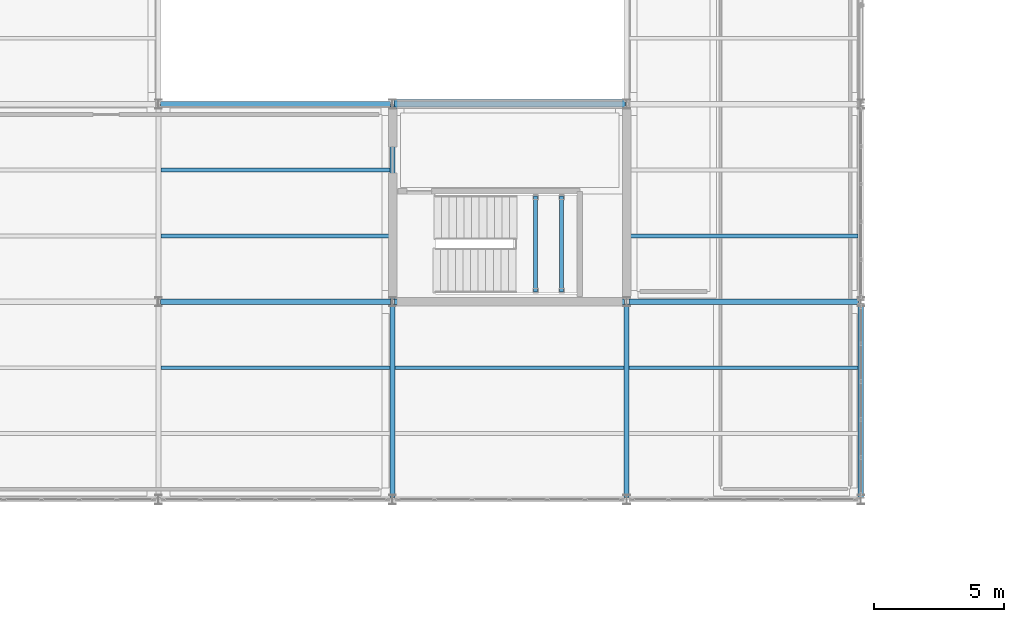
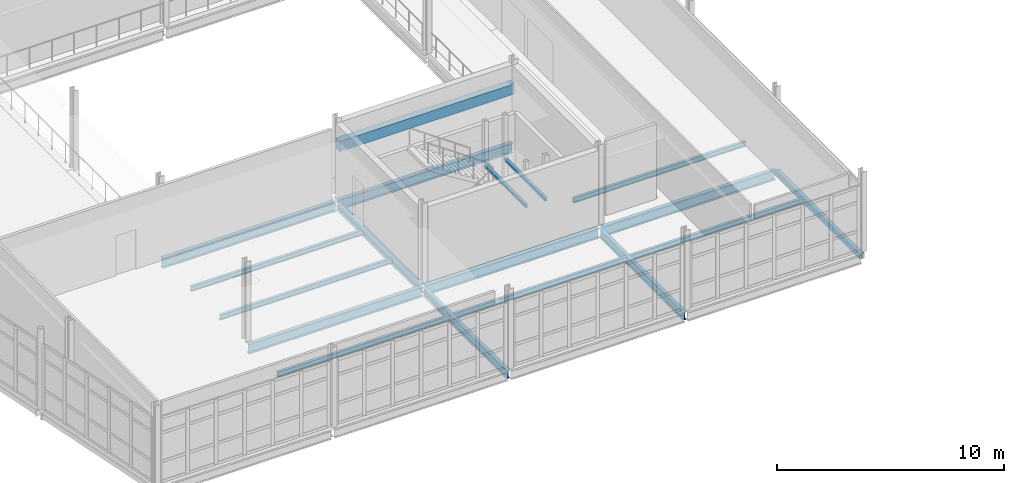
# One storey, part 117 of 174: 18 beams.
"""IFC4 building model written with IfcOpenShell, lengths in metres."""

from ifc_helpers import new_model, si_unit, direction, frame, origin, origin_2d, place, context, subcontext, project, spatial, rectangle, hollow_rectangle, i_section, extrude, material, material_profile, profile_set, type_object, element, save


model = new_model("IFC4")

# Units and contexts
model_context = context("Model", 3, precision=1e-05, world=origin(), true_north=direction((0.0, 1.0)))
body_context = subcontext(model_context, "Body", "Model", "MODEL_VIEW")
ifc_project = project(units=[si_unit("LENGTHUNIT", "METRE"), si_unit("AREAUNIT", "SQUARE_METRE"), si_unit("VOLUMEUNIT", "CUBIC_METRE"), si_unit("PLANEANGLEUNIT", "RADIAN"), si_unit("MASSUNIT", "GRAM", prefix="KILO")], contexts=[model_context])

# Site, building, storey
site_placement = place(None, origin())
site = spatial("IfcSite", under=ifc_project, at=site_placement, CompositionType="ELEMENT")
building_placement = place(site_placement, origin())
building = spatial("IfcBuilding", under=site, at=building_placement, Name="Caisbarro Railhouse Central Library", CompositionType="ELEMENT")
storey_placement = place(building_placement, frame((0.0, 0.0, 5.0400390625)))
storey = spatial("IfcBuildingStorey", under=building, at=storey_placement, Name="L01", CompositionType="ELEMENT", Elevation=5.0400390625)

# Beams
ifc_material_1 = material(Name="Steel ASTM A572 Grade 50", Category="steel")
ifc_material_profile_1 = material_profile(ifc_material_1, i_section(OverallWidth=0.208984375, OverallDepth=0.532958984375, WebThickness=0.01025390625, FlangeThickness=0.015625, FilletRadius=0.02001953125, at=origin_2d()), Name="W530X92.0")
ifc_profile_set_1 = profile_set([ifc_material_profile_1], Name="Steel ASTM A572 Grade 50")
beam_type_1 = type_object("IfcBeamType", Name="BM-G06", PredefinedType="BEAM", material=ifc_profile_set_1)
for number, where, z_axis, x_axis, name in (
    (1, (126.080078125, 68.39990234375, -0.486572265625), (1.0, 0.0, 0.0), (0.0, 1.0, 0.0), "G06 beam L01 #906"),
    (2, (135.080078125, 68.39990234375, -0.486572265625), (1.0, 0.0, 0.0), (0.0, 1.0, 0.0), "G06 beam L01 #907"),
    (3, (144.080078125, 68.39990234375, -0.486572265625), (1.0, 0.0, 0.0), (0.0, 1.0, 0.0), "G06 beam L01 #908"),
    (4, (126.080078125, 76.0, -0.486572265625), (1.0, 0.0, 0.0), (0.0, 1.0, 0.0), "G06 beam L01 #910"),
    (5, (135.080078125, 76.0, -0.486572265625), (1.0, 0.0, 0.0), (0.0, 1.0, 0.0), "G06 beam L01 #911"),
):
    element("IfcBeam", number, at=place(storey_placement, frame(where, z_axis=z_axis, x_axis=x_axis)), inside=storey, type_object=beam_type_1, Name=name, PredefinedType="BEAM", context=body_context, shape_type="SweptSolid", body=[
        extrude(i_section(OverallWidth=0.208984375, OverallDepth=0.532958984375, WebThickness=0.01025390625, FlangeThickness=0.015625, FilletRadius=0.02001953125, at=origin_2d()), origin(), (0.0, 0.0, 1.0), 8.83984375),
    ])
ifc_material_profile_2 = material_profile(ifc_material_1, i_section(OverallWidth=0.18994140625, OverallDepth=0.45703125, WebThickness=0.009033203125, FlangeThickness=0.014404296875, FilletRadius=0.01806640625, at=origin_2d()), Name="W460X74.0")
ifc_profile_set_2 = profile_set([ifc_material_profile_2], Name="Steel ASTM A572 Grade 50")
beam_type_2 = type_object("IfcBeamType", Name="BM-G08", PredefinedType="BEAM", material=ifc_profile_set_2)
beam_1_placement = place(storey_placement, frame((135.0, 60.8798828125, -0.448486328125), z_axis=(0.0, 1.0, 0.0), x_axis=(-1.0, 0.0, 0.0)))
element("IfcBeam", 6, at=beam_1_placement, inside=storey, type_object=beam_type_2, Name="G08 beam L01 #945", PredefinedType="BEAM", context=body_context, shape_type="SweptSolid", body=[
    extrude(i_section(OverallWidth=0.18994140625, OverallDepth=0.45703125, WebThickness=0.009033203125, FlangeThickness=0.014404296875, FilletRadius=0.01806640625, at=origin_2d()), origin(), (0.0, 0.0, 1.0), 7.440185546875),
])
beam_2_placement = place(storey_placement, frame((135.0, 68.47998046875, -0.448486328125), z_axis=(0.0, 1.0, 0.0), x_axis=(-1.0, 0.0, 0.0)))
element("IfcBeam", 7, at=beam_2_placement, inside=storey, type_object=beam_type_2, Name="G08 beam L01 #946", PredefinedType="BEAM", context=body_context, shape_type="SweptSolid", body=[
    extrude(i_section(OverallWidth=0.18994140625, OverallDepth=0.45703125, WebThickness=0.009033203125, FlangeThickness=0.014404296875, FilletRadius=0.01806640625, at=origin_2d()), origin(), (0.0, 0.0, 1.0), 7.43994140625),
])
beam_3_placement = place(storey_placement, frame((144.0, 60.8798828125, -0.448486328125), z_axis=(0.0, 1.0, 0.0), x_axis=(-1.0, 0.0, 0.0)))
element("IfcBeam", 8, at=beam_3_placement, inside=storey, type_object=beam_type_2, Name="G08 beam L01 #950", PredefinedType="BEAM", context=body_context, shape_type="SweptSolid", body=[
    extrude(i_section(OverallWidth=0.18994140625, OverallDepth=0.45703125, WebThickness=0.009033203125, FlangeThickness=0.014404296875, FilletRadius=0.01806640625, at=origin_2d()), origin(), (0.0, 0.0, 1.0), 7.440185546875),
])
ifc_material_profile_3 = material_profile(ifc_material_1, i_section(OverallWidth=0.14794921875, OverallDepth=0.26611328125, WebThickness=0.007568359375, FlangeThickness=0.012939453125, FilletRadius=0.010009765625, at=origin_2d()), Name="W250X44.8")
ifc_profile_set_3 = profile_set([ifc_material_profile_3], Name="Steel ASTM A572 Grade 50")
beam_type_3 = type_object("IfcBeamType", Name="BM-J04", PredefinedType="JOIST", material=ifc_profile_set_3)
for number, where, z_axis, x_axis, name in (
    (9, (126.094970703125, 65.86669921875, -0.35302734375), (1.0, 0.0, 0.0), (0.0, 1.0, 0.0), "J04 beam L01 #979"),
    (10, (126.094970703125, 70.933349609375, -0.35302734375), (1.0, 0.0, 0.0), (0.0, 1.0, 0.0), "J04 beam L01 #980"),
    (11, (126.094970703125, 73.466796875, -0.35302734375), (1.0, 0.0, 0.0), (0.0, 1.0, 0.0), "J04 beam L01 #981"),
    (12, (135.094970703125, 65.86669921875, -0.35302734375), (1.0, 0.0, 0.0), (0.0, 1.0, 0.0), "J04 beam L01 #987"),
):
    element("IfcBeam", number, at=place(storey_placement, frame(where, z_axis=z_axis, x_axis=x_axis)), inside=storey, type_object=beam_type_3, Name=name, PredefinedType="JOIST", context=body_context, shape_type="SweptSolid", body=[
        extrude(i_section(OverallWidth=0.14794921875, OverallDepth=0.26611328125, WebThickness=0.007568359375, FlangeThickness=0.012939453125, FilletRadius=0.010009765625, at=origin_2d()), origin(), (0.0, 0.0, 1.0), 8.81005859375),
    ])
for number, where, z_axis, x_axis, name in (
    (13, (144.094970703125, 65.86669921875, -0.35302734375), (1.0, 0.0, 0.0), (0.0, 1.0, 0.0), "J04 beam L01 #995"),
    (14, (144.094970703125, 70.933349609375, -0.35302734375), (1.0, 0.0, 0.0), (0.0, 1.0, 0.0), "J04 beam L01 #996"),
):
    element("IfcBeam", number, at=place(storey_placement, frame(where, z_axis=z_axis, x_axis=x_axis)), inside=storey, type_object=beam_type_3, Name=name, PredefinedType="JOIST", context=body_context, shape_type="SweptSolid", body=[
        extrude(i_section(OverallWidth=0.14794921875, OverallDepth=0.26611328125, WebThickness=0.007568359375, FlangeThickness=0.012939453125, FilletRadius=0.010009765625, at=origin_2d()), origin(), (0.0, 0.0, 1.0), 8.804931640625),
    ])
ifc_material_2 = material(Name="Concrete C40", Category="concrete")
ifc_material_profile_4 = material_profile(ifc_material_2, rectangle(XDim=0.35009765625, YDim=0.550048828125, at=origin_2d()), Name="RC-LIN-350X550")
ifc_profile_set_4 = profile_set([ifc_material_profile_4], Name="Concrete C40")
beam_type_4 = type_object("IfcBeamType", Name="BM-LN01", PredefinedType="LINTEL", material=ifc_profile_set_4)
beam_4_placement = place(storey_placement, frame((135.050048828125, 76.0, 2.724853515625), z_axis=(1.0, 0.0, 0.0), x_axis=(0.0, 1.0, 0.0)))
element("IfcBeam", 15, at=beam_4_placement, inside=storey, type_object=beam_type_4, Name="LN01 RC core coupling lintel K7 L01", PredefinedType="LINTEL", context=body_context, shape_type="SweptSolid", body=[
    extrude(rectangle(XDim=0.35009765625, YDim=0.550048828125, at=origin_2d()), origin(), (0.0, 0.0, 1.0), 8.89990234375),
])
ifc_material_profile_5 = material_profile(ifc_material_1, i_section(OverallWidth=0.152099609375, OverallDepth=0.152099609375, WebThickness=0.005859375, FlangeThickness=0.006591796875, FilletRadius=0.008056640625, at=origin_2d()), Name="W150X22.5")
ifc_profile_set_5 = profile_set([ifc_material_profile_5], Name="Steel ASTM A572 Grade 50")
beam_type_5 = type_object("IfcBeamType", Name="BM-SL01", PredefinedType="BEAM", material=ifc_profile_set_5)
for number, where, z_axis, x_axis, name in (
    (16, (140.5, 68.780029296875, 1.89404296875), (0.0, 1.0, 0.0), (-1.0, 0.0, 0.0), "SL01 Stair Landing Support Beam K7 L01 W"),
    (17, (141.5, 68.780029296875, 1.89404296875), (0.0, 1.0, 0.0), (-1.0, 0.0, 0.0), "SL01 Stair Landing Support Beam K7 L01 E"),
):
    element("IfcBeam", number, at=place(storey_placement, frame(where, z_axis=z_axis, x_axis=x_axis)), inside=storey, type_object=beam_type_5, Name=name, PredefinedType="BEAM", context=body_context, shape_type="SweptSolid", body=[
        extrude(i_section(OverallWidth=0.152099609375, OverallDepth=0.152099609375, WebThickness=0.005859375, FlangeThickness=0.006591796875, FilletRadius=0.008056640625, at=origin_2d()), origin(), (0.0, 0.0, 1.0), 3.68994140625),
    ])
ifc_material_profile_6 = material_profile(ifc_material_1, hollow_rectangle(XDim=0.199951171875, YDim=0.300048828125, WallThickness=0.012451171875, at=origin_2d()), Name="HSS300X200X12.5")
ifc_profile_set_6 = profile_set([ifc_material_profile_6], Name="Steel ASTM A572 Grade 50")
beam_type_6 = type_object("IfcBeamType", Name="BM-SP02", PredefinedType="SPANDREL", material=ifc_profile_set_6)
beam_5_placement = place(storey_placement, frame((153.0, 60.8798828125, -0.3701171875), z_axis=(0.0, 1.0, 0.0), x_axis=(-1.0, 0.0, 0.0)))
element("IfcBeam", 18, at=beam_5_placement, inside=storey, type_object=beam_type_6, Name="SP02 beam L01 #957", PredefinedType="SPANDREL", context=body_context, shape_type="SweptSolid", body=[
    extrude(hollow_rectangle(XDim=0.199951171875, YDim=0.300048828125, WallThickness=0.012451171875, at=origin_2d()), origin(), (0.0, 0.0, 1.0), 7.440185546875),
])

save(model, "model.ifc")
